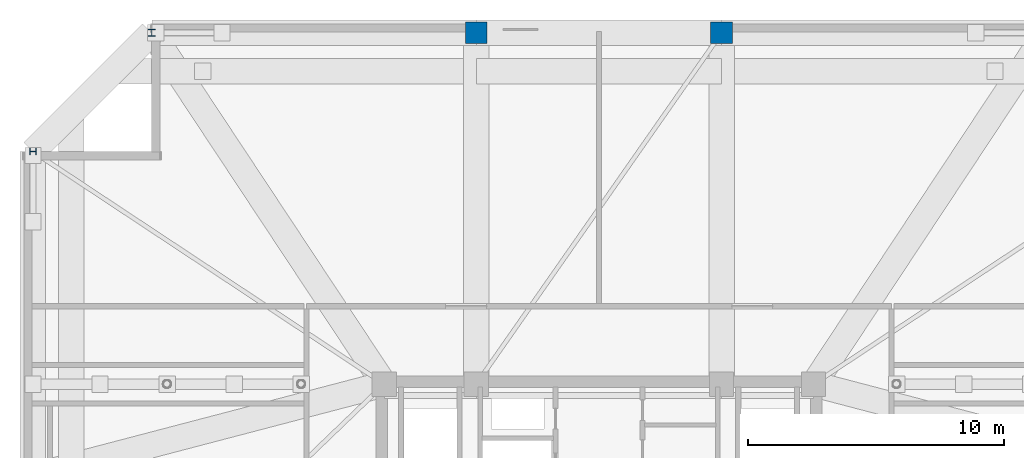
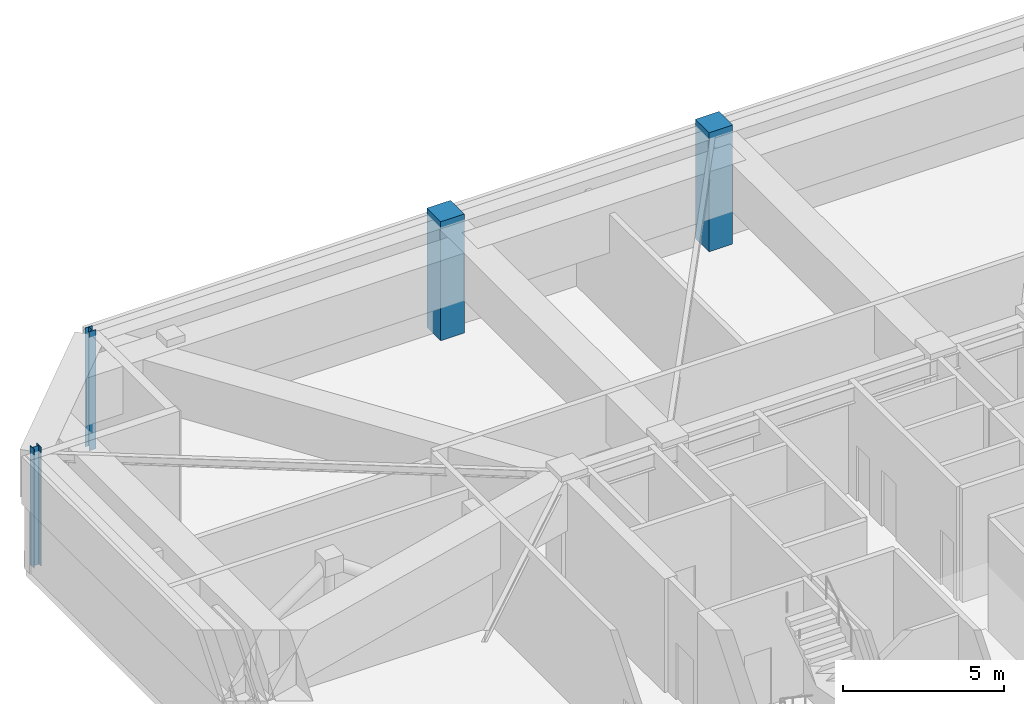
# One storey, part 4 of 17: 4 columns.
"""IFC4 building model written with IfcOpenShell, lengths in metres."""

from ifc_helpers import new_model, si_unit, direction, frame, origin, origin_2d, place, context, subcontext, project, spatial, rectangle, i_section, extrude, material, material_profile, profile_set, type_object, element, save


model = new_model("IFC4")

# Units and contexts
model_context = context("Model", 3, precision=1e-05, world=origin(), true_north=direction((0.0, 1.0)))
body_context = subcontext(model_context, "Body", "Model", "MODEL_VIEW")
ifc_project = project(units=[si_unit("LENGTHUNIT", "METRE"), si_unit("AREAUNIT", "SQUARE_METRE"), si_unit("VOLUMEUNIT", "CUBIC_METRE"), si_unit("PLANEANGLEUNIT", "RADIAN"), si_unit("MASSUNIT", "GRAM", prefix="KILO")], contexts=[model_context])

# Site, building, storey
site_placement = place(None, origin())
site = spatial("IfcSite", under=ifc_project, at=site_placement, CompositionType="ELEMENT")
building_placement = place(site_placement, origin())
building = spatial("IfcBuilding", under=site, at=building_placement, Name="Cairnveth Concourse Tower", CompositionType="ELEMENT")
storey_placement = place(building_placement, frame((0.0, 0.0, 276.0)))
storey = spatial("IfcBuildingStorey", under=building, at=storey_placement, Name="L76", CompositionType="ELEMENT", Elevation=276.0)

# Columns
ifc_material_1 = material(Name="Concrete N65 (65 MPa)", Category="concrete")
ifc_material_profile_1 = material_profile(ifc_material_1, rectangle(XDim=0.85009765625, YDim=0.85009765625, at=origin_2d()), Name="RC-COL-850x850")
ifc_profile_set_1 = profile_set([ifc_material_profile_1], Name="Concrete N65 (65 MPa)")
column_type_1 = type_object("IfcColumnType", Name="PERIMETER PIER COLUMN 850X850", PredefinedType="COLUMN", material=ifc_profile_set_1)
for number, where, z_axis, x_axis, name in (
    (1, (56.800048828125, 61.14990234375, 0.0), (0.0, 0.0, 1.0), (1.0, 0.0, 0.0), "Column P-N2 L76"),
    (2, (47.199951171875, 61.14990234375, 0.0), (0.0, 0.0, 1.0), (1.0, 0.0, 0.0), "Column P-N3 L76"),
):
    element("IfcColumn", number, at=place(storey_placement, frame(where, z_axis=z_axis, x_axis=x_axis)), inside=storey, type_object=column_type_1, Name=name, PredefinedType="COLUMN", context=body_context, shape_type="SweptSolid", body=[
        extrude(rectangle(XDim=0.85009765625, YDim=0.85009765625, at=origin_2d()), origin(), (0.0, 0.0, 1.0), 4.5),
    ])
ifc_material_2 = material(Name="Steel Grade 350", Category="steel")
ifc_material_profile_2 = material_profile(ifc_material_2, i_section(OverallWidth=0.256103515625, OverallDepth=0.260009765625, WebThickness=0.010498046875, FlangeThickness=0.017333984375, FilletRadius=0.012939453125, at=origin_2d()), Name="250UC89.5")
ifc_profile_set_2 = profile_set([ifc_material_profile_2], Name="Steel Grade 350")
column_type_2 = type_object("IfcColumnType", Name="UNIVERSAL STEEL COLUMN 250UC89.5", PredefinedType="COLUMN", material=ifc_profile_set_2)
for number, where, z_axis, x_axis, name in (
    (3, (34.5, 61.14990234375, 0.0), (0.0, 0.0, 1.0), (1.0, 0.0, 0.0), "Column P-N4 L76"),
    (4, (29.85009765625, 56.5, 0.0), (0.0, 0.0, 1.0), (0.0, 1.0, 0.0), "Column P-W1 L76"),
):
    element("IfcColumn", number, at=place(storey_placement, frame(where, z_axis=z_axis, x_axis=x_axis)), inside=storey, type_object=column_type_2, Name=name, PredefinedType="COLUMN", context=body_context, shape_type="SweptSolid", body=[
        extrude(i_section(OverallWidth=0.256103515625, OverallDepth=0.260009765625, WebThickness=0.010498046875, FlangeThickness=0.017333984375, FilletRadius=0.012939453125, at=origin_2d()), origin(), (0.0, 0.0, 1.0), 4.5),
    ])

save(model, "model.ifc")
